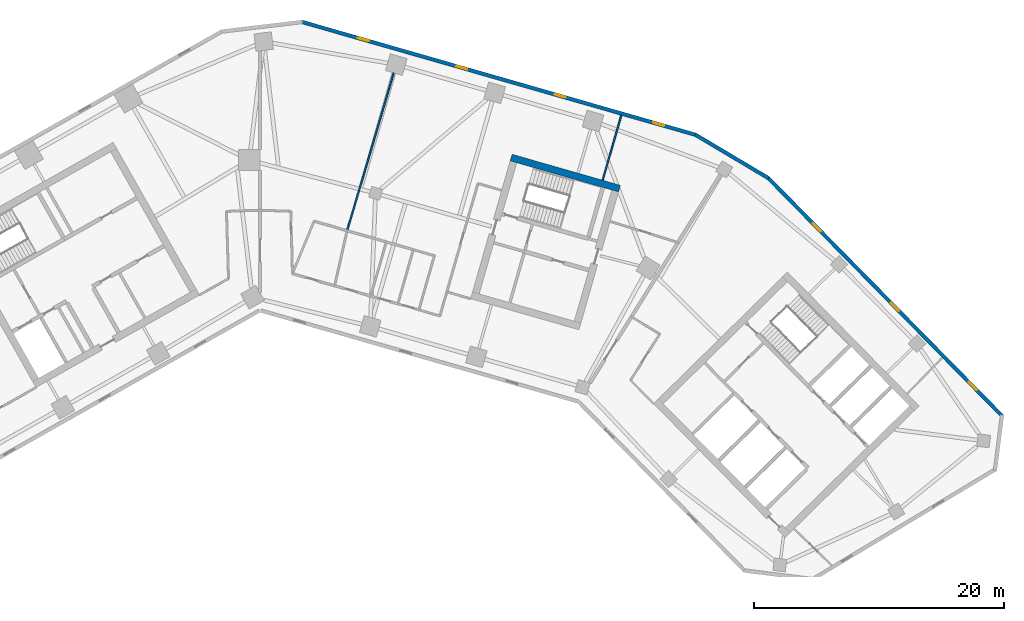
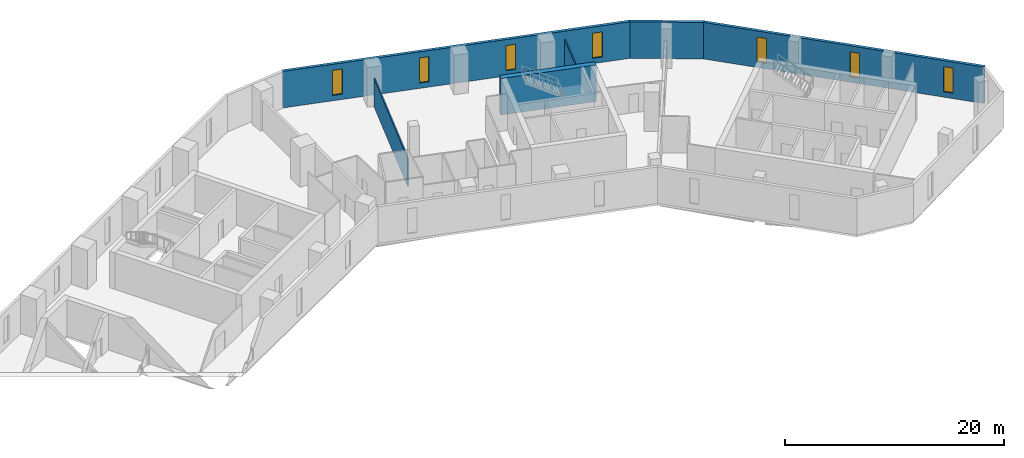
# One storey, part 7 of 10: 7 windows, 6 walls, 7 openings.
"""IFC4 building model written with IfcOpenShell, lengths in metres."""

from ifc_helpers import new_model, si_unit, direction, frame, frame_2d, origin, place, context, subcontext, project, spatial, rectangle, extrude, material, layer, layer_set, type_object, element, fill, save


model = new_model("IFC4")

# Units and contexts
model_context = context("Model", 3, precision=1e-05, world=origin(), true_north=direction((0.0, 1.0)))
body_context = subcontext(model_context, "Body", "Model", "MODEL_VIEW")
ifc_project = project(units=[si_unit("LENGTHUNIT", "METRE"), si_unit("AREAUNIT", "SQUARE_METRE"), si_unit("VOLUMEUNIT", "CUBIC_METRE"), si_unit("PLANEANGLEUNIT", "RADIAN"), si_unit("MASSUNIT", "GRAM", prefix="KILO")], contexts=[model_context])

# Site, building, storey
site_placement = place(None, origin())
site = spatial("IfcSite", under=ifc_project, at=site_placement, CompositionType="ELEMENT")
building_placement = place(site_placement, origin())
building = spatial("IfcBuilding", under=site, at=building_placement, Name="Binnacle Exchange Tower", CompositionType="ELEMENT")
storey_placement = place(building_placement, frame((0.0, 0.0, 119.10009765625)))
storey = spatial("IfcBuildingStorey", under=building, at=storey_placement, Name="L24", CompositionType="ELEMENT", Elevation=119.10009765625)

# Walls
ifc_material_1 = material(Name="Concrete C70/85", Category="concrete")
ifc_layer_1 = layer(ifc_material_1, 0.550048828125)
ifc_layer_set_1 = layer_set([ifc_layer_1], Name="Core wall - outer 550")
wall_type_1 = type_object("IfcWallType", Name="Core wall - outer 550", PredefinedType="SOLIDWALL", material=ifc_layer_set_1)
wall_1_placement = place(storey_placement, frame((20.059814453125, 60.20361328125, 0.0), z_axis=(0.0, 0.0, 1.0), x_axis=(0.96126248289, -0.275634611374, 0.0)))
element("IfcWall", 1, at=wall_1_placement, inside=storey, type_object=wall_type_1, Name="Core wall CRWD6", PredefinedType="SOLIDWALL", context=body_context, shape_type="SweptSolid", body=[
    extrude(rectangle(XDim=9.0, YDim=0.550048828125, at=frame_2d((4.5, 0.0))), origin(), (0.0, 0.0, 1.0), 4.079833984375),
])
ifc_material_2 = material(Name="Bronze aluminium cladding", Category="aluminium")
ifc_layer_2 = layer(ifc_material_2, 0.300048828125)
ifc_layer_set_2 = layer_set([ifc_layer_2], Name="External wall - spandrel 300")
wall_type_2 = type_object("IfcWallType", Name="External wall - spandrel 300", PredefinedType="STANDARD", material=ifc_layer_set_2)
wall_2_placement = place(storey_placement, frame((34.773193359375, 62.0341796875, 0.0), z_axis=(0.0, 0.0, 1.0), x_axis=(0.859401317772, -0.511301647769, 0.0)))
element("IfcWall", 2, at=wall_2_placement, inside=storey, type_object=wall_type_2, Name="External wall EW-F00 L24", PredefinedType="STANDARD", context=body_context, shape_type="SweptSolid", body=[
    extrude(rectangle(XDim=6.80810546875, YDim=0.300048828125, at=frame_2d((3.404052734375, 0.0))), origin(), (0.0, 0.0, 1.0), 4.079833984375),
])

# Wall, openings, windows
wall_3_placement = place(storey_placement, frame((3.33544921875, 71.043701171875, 0.0), z_axis=(0.0, 0.0, 1.0), x_axis=(0.961260130989, -0.275642813387, 0.0)))
wall_3 = element("IfcWall", 3, at=wall_3_placement, inside=storey, type_object=wall_type_2, Name="External wall EW-F01 L24", PredefinedType="STANDARD", context=body_context, shape_type="SweptSolid", body=[
    extrude(rectangle(XDim=32.7412109375, YDim=0.300048828125, at=frame_2d((16.37060546875, 0.0))), origin(), (0.0, 0.0, 1.0), 4.079833984375),
])
opening_1_placement = place(wall_3_placement, frame((29.20703125, 0.0, 0.60009765625)))
opening_1 = element("IfcOpeningElement", 4, at=opening_1_placement, cuts=wall_3, Name="Opening WS2", PredefinedType="OPENING", context=body_context, shape_type="SweptSolid", body=[
    extrude(rectangle(XDim=0.89990234375, YDim=2.800048828125, at=frame_2d((0.449951171875, 1.39990234375))), frame((0.0, 0.159912109375, 0.0), z_axis=(0.0, -1.0, 0.0), x_axis=(1.0, 0.0, 0.0)), (0.0, 0.0, 1.0), 0.320068359375),
])
opening_2_placement = place(wall_3_placement, frame((21.0341796875, 0.0, 0.60009765625)))
opening_2 = element("IfcOpeningElement", 5, at=opening_2_placement, cuts=wall_3, Name="Opening WS2", PredefinedType="OPENING", context=body_context, shape_type="SweptSolid", body=[
    extrude(rectangle(XDim=0.89990234375, YDim=2.800048828125, at=frame_2d((0.449951171875, 1.39990234375))), frame((0.0, 0.159912109375, 0.0), z_axis=(0.0, -1.0, 0.0), x_axis=(1.0, 0.0, 0.0)), (0.0, 0.0, 1.0), 0.320068359375),
])
opening_3_placement = place(wall_3_placement, frame((12.861083984375, 0.0, 0.60009765625)))
opening_3 = element("IfcOpeningElement", 6, at=opening_3_placement, cuts=wall_3, Name="Opening WS2", PredefinedType="OPENING", context=body_context, shape_type="SweptSolid", body=[
    extrude(rectangle(XDim=0.89990234375, YDim=2.800048828125, at=frame_2d((0.449951171875, 1.39990234375))), frame((0.0, 0.159912109375, 0.0), z_axis=(0.0, -1.0, 0.0), x_axis=(1.0, 0.0, 0.0)), (0.0, 0.0, 1.0), 0.320068359375),
])
opening_4_placement = place(wall_3_placement, frame((4.688232421875, 0.0, 0.60009765625)))
opening_4 = element("IfcOpeningElement", 7, at=opening_4_placement, cuts=wall_3, Name="Opening WS2", PredefinedType="OPENING", context=body_context, shape_type="SweptSolid", body=[
    extrude(rectangle(XDim=0.89990234375, YDim=2.800048828125, at=frame_2d((0.449951171875, 1.39990234375))), frame((0.0, 0.159912109375, 0.0), z_axis=(0.0, -1.0, 0.0), x_axis=(1.0, 0.0, 0.0)), (0.0, 0.0, 1.0), 0.320068359375),
])
ifc_material_3 = material(Name="Bronze anodised aluminium frame", Category="aluminium")
window_type = type_object("IfcWindowType", Name="WS2 WINDOW 900x2800", PartitioningType="SINGLE_PANEL", PredefinedType="WINDOW", material=ifc_material_3)
window_1_placement = place(opening_1_placement, origin())
window_1 = element("IfcWindow", 8, at=window_1_placement, inside=storey, type_object=window_type, Name="Window WS2 L24", OverallHeight=2.800048828125, OverallWidth=0.89990234375, PartitioningType="SINGLE_PANEL", PredefinedType="WINDOW", context=body_context, shape_type="SweptSolid", body=[
    extrude(rectangle(XDim=0.89990234375, YDim=2.800048828125, at=frame_2d((0.449951171875, 1.39990234375))), frame((0.0, 0.030029296875, 0.0), z_axis=(0.0, -1.0, 0.0), x_axis=(1.0, 0.0, 0.0)), (0.0, 0.0, 1.0), 0.06005859375),
])
fill(opening_1, window_1)
window_2_placement = place(opening_2_placement, origin())
window_2 = element("IfcWindow", 9, at=window_2_placement, inside=storey, type_object=window_type, Name="Window WS2 L24", OverallHeight=2.800048828125, OverallWidth=0.89990234375, PartitioningType="SINGLE_PANEL", PredefinedType="WINDOW", context=body_context, shape_type="SweptSolid", body=[
    extrude(rectangle(XDim=0.89990234375, YDim=2.800048828125, at=frame_2d((0.449951171875, 1.39990234375))), frame((0.0, 0.030029296875, 0.0), z_axis=(0.0, -1.0, 0.0), x_axis=(1.0, 0.0, 0.0)), (0.0, 0.0, 1.0), 0.06005859375),
])
fill(opening_2, window_2)
window_3_placement = place(opening_3_placement, origin())
window_3 = element("IfcWindow", 10, at=window_3_placement, inside=storey, type_object=window_type, Name="Window WS2 L24", OverallHeight=2.800048828125, OverallWidth=0.89990234375, PartitioningType="SINGLE_PANEL", PredefinedType="WINDOW", context=body_context, shape_type="SweptSolid", body=[
    extrude(rectangle(XDim=0.89990234375, YDim=2.800048828125, at=frame_2d((0.449951171875, 1.39990234375))), frame((0.0, 0.030029296875, 0.0), z_axis=(0.0, -1.0, 0.0), x_axis=(1.0, 0.0, 0.0)), (0.0, 0.0, 1.0), 0.06005859375),
])
fill(opening_3, window_3)
window_4_placement = place(opening_4_placement, origin())
window_4 = element("IfcWindow", 11, at=window_4_placement, inside=storey, type_object=window_type, Name="Window WS2 L24", OverallHeight=2.800048828125, OverallWidth=0.89990234375, PartitioningType="SINGLE_PANEL", PredefinedType="WINDOW", context=body_context, shape_type="SweptSolid", body=[
    extrude(rectangle(XDim=0.89990234375, YDim=2.800048828125, at=frame_2d((0.449951171875, 1.39990234375))), frame((0.0, 0.030029296875, 0.0), z_axis=(0.0, -1.0, 0.0), x_axis=(1.0, 0.0, 0.0)), (0.0, 0.0, 1.0), 0.06005859375),
])
fill(opening_4, window_4)

wall_4_placement = place(storey_placement, frame((40.59375, 58.576904296875, 0.0), z_axis=(0.0, 0.0, 1.0), x_axis=(0.700909719808, -0.713250001528, 0.0)))
wall_4 = element("IfcWall", 12, at=wall_4_placement, inside=storey, type_object=wall_type_2, Name="External wall EW-F13 L24", PredefinedType="STANDARD", context=body_context, shape_type="SweptSolid", body=[
    extrude(rectangle(XDim=26.70849609375, YDim=0.300048828125, at=frame_2d((13.354248046875, 0.0))), origin(), (0.0, 0.0, 1.0), 4.079833984375),
])
opening_5_placement = place(wall_4_placement, frame((22.8583984375, 0.0, 0.60009765625)))
opening_5 = element("IfcOpeningElement", 13, at=opening_5_placement, cuts=wall_4, Name="Opening WS2", PredefinedType="OPENING", context=body_context, shape_type="SweptSolid", body=[
    extrude(rectangle(XDim=0.89990234375, YDim=2.800048828125, at=frame_2d((0.449951171875, 1.39990234375))), frame((0.0, 0.159912109375, 0.0), z_axis=(0.0, -1.0, 0.0), x_axis=(1.0, 0.0, 0.0)), (0.0, 0.0, 1.0), 0.320068359375),
])
opening_6_placement = place(wall_4_placement, frame((13.986572265625, 0.0, 0.60009765625)))
opening_6 = element("IfcOpeningElement", 14, at=opening_6_placement, cuts=wall_4, Name="Opening WS2", PredefinedType="OPENING", context=body_context, shape_type="SweptSolid", body=[
    extrude(rectangle(XDim=0.89990234375, YDim=2.800048828125, at=frame_2d((0.449951171875, 1.39990234375))), frame((0.0, 0.159912109375, 0.0), z_axis=(0.0, -1.0, 0.0), x_axis=(1.0, 0.0, 0.0)), (0.0, 0.0, 1.0), 0.320068359375),
])
opening_7_placement = place(wall_4_placement, frame((5.114501953125, 0.0, 0.60009765625)))
opening_7 = element("IfcOpeningElement", 15, at=opening_7_placement, cuts=wall_4, Name="Opening WS2", PredefinedType="OPENING", context=body_context, shape_type="SweptSolid", body=[
    extrude(rectangle(XDim=0.89990234375, YDim=2.800048828125, at=frame_2d((0.449951171875, 1.39990234375))), frame((0.0, 0.159912109375, 0.0), z_axis=(0.0, -1.0, 0.0), x_axis=(1.0, 0.0, 0.0)), (0.0, 0.0, 1.0), 0.320068359375),
])
window_5_placement = place(opening_5_placement, origin())
window_5 = element("IfcWindow", 16, at=window_5_placement, inside=storey, type_object=window_type, Name="Window WS2 L24", OverallHeight=2.800048828125, OverallWidth=0.89990234375, PartitioningType="SINGLE_PANEL", PredefinedType="WINDOW", context=body_context, shape_type="SweptSolid", body=[
    extrude(rectangle(XDim=0.89990234375, YDim=2.800048828125, at=frame_2d((0.449951171875, 1.39990234375))), frame((0.0, 0.030029296875, 0.0), z_axis=(0.0, -1.0, 0.0), x_axis=(1.0, 0.0, 0.0)), (0.0, 0.0, 1.0), 0.06005859375),
])
fill(opening_5, window_5)
window_6_placement = place(opening_6_placement, origin())
window_6 = element("IfcWindow", 17, at=window_6_placement, inside=storey, type_object=window_type, Name="Window WS2 L24", OverallHeight=2.800048828125, OverallWidth=0.89990234375, PartitioningType="SINGLE_PANEL", PredefinedType="WINDOW", context=body_context, shape_type="SweptSolid", body=[
    extrude(rectangle(XDim=0.89990234375, YDim=2.800048828125, at=frame_2d((0.449951171875, 1.39990234375))), frame((0.0, 0.030029296875, 0.0), z_axis=(0.0, -1.0, 0.0), x_axis=(1.0, 0.0, 0.0)), (0.0, 0.0, 1.0), 0.06005859375),
])
fill(opening_6, window_6)
window_7_placement = place(opening_7_placement, origin())
window_7 = element("IfcWindow", 18, at=window_7_placement, inside=storey, type_object=window_type, Name="Window WS2 L24", OverallHeight=2.800048828125, OverallWidth=0.89990234375, PartitioningType="SINGLE_PANEL", PredefinedType="WINDOW", context=body_context, shape_type="SweptSolid", body=[
    extrude(rectangle(XDim=0.89990234375, YDim=2.800048828125, at=frame_2d((0.449951171875, 1.39990234375))), frame((0.0, 0.030029296875, 0.0), z_axis=(0.0, -1.0, 0.0), x_axis=(1.0, 0.0, 0.0)), (0.0, 0.0, 1.0), 0.06005859375),
])
fill(opening_7, window_7)

# Walls
ifc_material_4 = material(Name="Gypsum partition")
ifc_layer_3 = layer(ifc_material_4, 0.125)
ifc_layer_set_3 = layer_set([ifc_layer_3], Name="Partition 125")
wall_type_3 = type_object("IfcWallType", Name="Partition 125", PredefinedType="PARTITIONING", material=ifc_layer_set_3)
wall_5_placement = place(storey_placement, frame((6.966064453125, 54.362060546875, 0.0), z_axis=(0.0, 0.0, 1.0), x_axis=(0.283059793108, 0.959102264373, 0.0)))
element("IfcWall", 19, at=wall_5_placement, inside=storey, type_object=wall_type_3, Name="Partition W19", PredefinedType="PARTITIONING", context=body_context, shape_type="SweptSolid", body=[
    extrude(rectangle(XDim=13.135009765625, YDim=0.125, at=frame_2d((6.5673828125, 0.0))), origin(), (0.0, 0.0, 1.0), 3.141845703125),
])
wall_6_placement = place(storey_placement, frame((27.367919921875, 58.39404296875, 0.0), z_axis=(0.0, 0.0, 1.0), x_axis=(0.276295387056, 0.961072764722, 0.0)))
element("IfcWall", 20, at=wall_6_placement, inside=storey, type_object=wall_type_3, Name="Partition W33", PredefinedType="PARTITIONING", context=body_context, shape_type="SweptSolid", body=[
    extrude(rectangle(XDim=5.3857421875, YDim=0.125, at=frame_2d((2.69287109375, 0.0))), origin(), (0.0, 0.0, 1.0), 3.141845703125),
])

save(model, "model.ifc")
